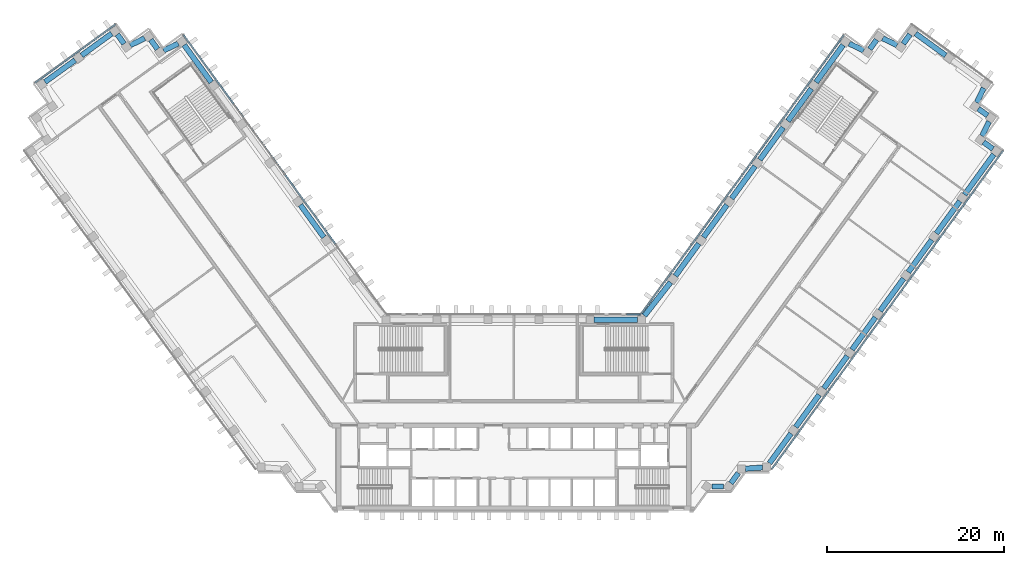
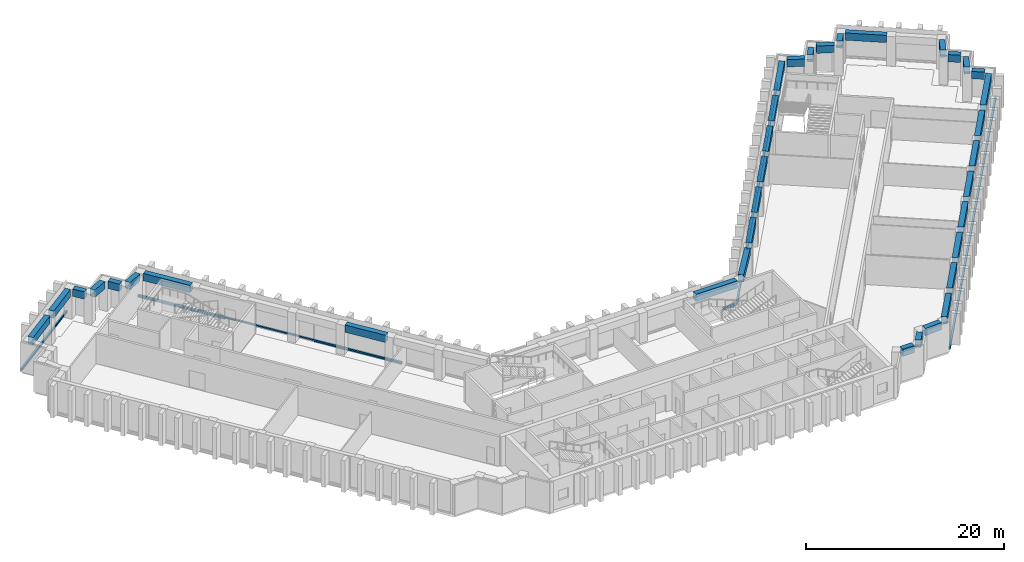
"""IFC4 building model written with IfcOpenShell, lengths in metres."""

from ifc_helpers import new_model, si_unit, direction, frame, origin, origin_2d, place, context, subcontext, project, spatial, rectangle, extrude, material, material_profile, profile_set, type_object, element, aggregate, save


model = new_model("IFC4")

# Units and contexts
model_context = context("Model", 3, precision=1e-05, world=origin(), true_north=direction((0.0, 1.0)))
body_context = subcontext(model_context, "Body", "Model", "MODEL_VIEW")
ifc_project = project(units=[si_unit("LENGTHUNIT", "METRE"), si_unit("AREAUNIT", "SQUARE_METRE"), si_unit("VOLUMEUNIT", "CUBIC_METRE"), si_unit("PLANEANGLEUNIT", "RADIAN"), si_unit("MASSUNIT", "GRAM", prefix="KILO")], contexts=[model_context])

# Site, building, storey
site_placement = place(None, origin())
site = spatial("IfcSite", under=ifc_project, at=site_placement, CompositionType="ELEMENT")
building_placement = place(site_placement, origin())
building = spatial("IfcBuilding", under=site, at=building_placement, Name="Quipu Civic Tower", CompositionType="ELEMENT")
storey_1_placement = place(building_placement, frame((0.0, 0.0, 67.0)))
storey_1 = spatial("IfcBuildingStorey", under=building, at=storey_1_placement, Name="L15", CompositionType="ELEMENT", Elevation=67.0)

# Beams
ifc_material_1 = material(Name="Concrete C50/60", Category="concrete")
ifc_material_profile_1 = material_profile(ifc_material_1, rectangle(XDim=0.60009765625, YDim=0.89990234375, at=origin_2d()), Name="RC600x900")
ifc_profile_set_1 = profile_set([ifc_material_profile_1], Name="Concrete C50/60")
beam_type = type_object("IfcBeamType", Name="Spandrel beam RC 600x900 C50/60", PredefinedType="SPANDREL", material=ifc_profile_set_1)
beam_1_placement = place(storey_1_placement, frame((-21.411865234375, 19.807861328125, 3.199951171875), z_axis=(-0.587778073121, 0.809022210299, 0.0), x_axis=(-0.809022210299, -0.587778073121, 0.0)))
element("IfcBeam", 1, at=beam_1_placement, inside=storey_1, type_object=beam_type, Name="Spandrel beam L15 W-IN-02 to W-IN-03", PredefinedType="SPANDREL", context=body_context, shape_type="SweptSolid", body=[
    extrude(rectangle(XDim=0.60009765625, YDim=0.89990234375, at=origin_2d()), origin(), (0.0, 0.0, 1.0), 4.5),
])
beam_2_placement = place(storey_1_placement, frame((-34.107421875, 37.283203125, 3.199951171875), z_axis=(-0.587732861365, 0.80905505602, 0.0), x_axis=(-0.80905505602, -0.587732861365, 0.0)))
element("IfcBeam", 2, at=beam_2_placement, inside=storey_1, type_object=beam_type, Name="Spandrel beam L15 W-IN-06 to T-Wi.0-W50", PredefinedType="SPANDREL", context=body_context, shape_type="SweptSolid", body=[
    extrude(rectangle(XDim=0.60009765625, YDim=0.89990234375, at=origin_2d()), origin(), (0.0, 0.0, 1.0), 5.194580078125),
])
beam_3_placement = place(storey_1_placement, frame((-37.837890625, 41.65283203125, 3.199951171875), z_axis=(-0.90245397739, -0.430786279601, 0.0), x_axis=(0.430786279601, -0.90245397739, 0.0)))
element("IfcBeam", 3, at=beam_3_placement, inside=storey_1, type_object=beam_type, Name="Spandrel beam L15 T-Wi.0-W50 to T-Wi.1-W50", PredefinedType="SPANDREL", context=body_context, shape_type="SweptSolid", body=[
    extrude(rectangle(XDim=0.60009765625, YDim=0.89990234375, at=origin_2d()), origin(), (0.0, 0.0, 1.0), 1.83349609375),
])
beam_4_placement = place(storey_1_placement, frame((-40.170166015625, 41.02978515625, 3.199951171875), z_axis=(-0.588461937499, 0.808524921146, 0.0), x_axis=(-0.808524921146, -0.588461937499, 0.0)))
element("IfcBeam", 4, at=beam_4_placement, inside=storey_1, type_object=beam_type, Name="Spandrel beam L15 T-Wi.1-W50 to T-Wi.2-W50", PredefinedType="SPANDREL", context=body_context, shape_type="SweptSolid", body=[
    extrude(rectangle(XDim=0.60009765625, YDim=0.89990234375, at=origin_2d()), origin(), (0.0, 0.0, 1.0), 1.30029296875),
])
beam_5_placement = place(storey_1_placement, frame((-41.613037109375, 42.248046875, 3.199951171875), z_axis=(-0.902613270121, -0.430452418511, 0.0), x_axis=(0.430452418511, -0.902613270121, 0.0)))
element("IfcBeam", 5, at=beam_5_placement, inside=storey_1, type_object=beam_type, Name="Spandrel beam L15 T-Wi.2-W50 to T-Wi.3-W50", PredefinedType="SPANDREL", context=body_context, shape_type="SweptSolid", body=[
    extrude(rectangle(XDim=0.60009765625, YDim=0.89990234375, at=origin_2d()), origin(), (0.0, 0.0, 1.0), 1.826416015625),
])
beam_6_placement = place(storey_1_placement, frame((-43.939453125, 41.628662109375, 3.199951171875), z_axis=(-0.588383572423, 0.808581951136, 0.0), x_axis=(-0.808581951136, -0.588383572423, 0.0)))
element("IfcBeam", 6, at=beam_6_placement, inside=storey_1, type_object=beam_type, Name="Spandrel beam L15 T-Wi.3-W50 to T-Wi.4-W50", PredefinedType="SPANDREL", context=body_context, shape_type="SweptSolid", body=[
    extrude(rectangle(XDim=0.60009765625, YDim=0.89990234375, at=origin_2d()), origin(), (0.0, 0.0, 1.0), 1.3017578125),
])
beam_7_placement = place(storey_1_placement, frame((-45.333984375, 42.780517578125, 3.199951171875), z_axis=(-0.808969789945, -0.58785021813, 0.0), x_axis=(0.58785021813, -0.808969789945, 0.0)))
element("IfcBeam", 7, at=beam_7_placement, inside=storey_1, type_object=beam_type, Name="Spandrel beam L15 T-Wi.4-W50 to TIP-W-01-W50", PredefinedType="SPANDREL", context=body_context, shape_type="SweptSolid", body=[
    extrude(rectangle(XDim=0.60009765625, YDim=0.89990234375, at=origin_2d()), origin(), (0.0, 0.0, 1.0), 4.199951171875),
])
beam_8_placement = place(storey_1_placement, frame((-49.459716796875, 39.782470703125, 3.199951171875), z_axis=(-0.808959834407, -0.587863918196, 0.0), x_axis=(0.587863918196, -0.808959834407, 0.0)))
element("IfcBeam", 8, at=beam_8_placement, inside=storey_1, type_object=beam_type, Name="Spandrel beam L15 TIP-W-01-W50 to T-Wo.0-W50", PredefinedType="SPANDREL", context=body_context, shape_type="SweptSolid", body=[
    extrude(rectangle(XDim=0.60009765625, YDim=0.89990234375, at=origin_2d()), origin(), (0.0, 0.0, 1.0), 4.1982421875),
])
beam_9_placement = place(storey_1_placement, frame((22.34814453125, -8.31494140625, 3.199951171875), z_axis=(1.0, 0.0, 0.0), x_axis=(0.0, 1.0, 0.0)))
element("IfcBeam", 9, at=beam_9_placement, inside=storey_1, type_object=beam_type, Name="Spandrel beam L15 J-Eo.1 to J-Eo.2", PredefinedType="SPANDREL", context=body_context, shape_type="SweptSolid", body=[
    extrude(rectangle(XDim=0.60009765625, YDim=0.89990234375, at=origin_2d()), origin(), (0.0, 0.0, 1.0), 1.33056640625),
])
beam_10_placement = place(storey_1_placement, frame((24.499755859375, -7.951171875, 3.199951171875), z_axis=(0.588433824377, 0.808545381738, 0.0), x_axis=(-0.808545381738, 0.588433824377, 0.0)))
element("IfcBeam", 10, at=beam_10_placement, inside=storey_1, type_object=beam_type, Name="Spandrel beam L15 J-Eo.2 to J-Eo.3", PredefinedType="SPANDREL", context=body_context, shape_type="SweptSolid", body=[
    extrude(rectangle(XDim=0.60009765625, YDim=0.89990234375, at=origin_2d()), origin(), (0.0, 0.0, 1.0), 1.439697265625),
])
beam_11_placement = place(storey_1_placement, frame((26.12451171875, -6.304443359375, 3.199951171875), z_axis=(0.997365981169, 0.072533437859, 0.0), x_axis=(-0.072533437859, 0.997365981169, 0.0)))
element("IfcBeam", 11, at=beam_11_placement, inside=storey_1, type_object=beam_type, Name="Spandrel beam L15 J-Eo.3 to J-Eo.4", PredefinedType="SPANDREL", context=body_context, shape_type="SweptSolid", body=[
    extrude(rectangle(XDim=0.60009765625, YDim=0.89990234375, at=origin_2d()), origin(), (0.0, 0.0, 1.0), 1.95556640625),
])
beam_12_placement = place(storey_1_placement, frame((28.85205078125, -5.679931640625, 3.199951171875), z_axis=(0.587750565781, 0.809042194464, 0.0), x_axis=(-0.809042194464, 0.587750565781, 0.0)))
element("IfcBeam", 12, at=beam_12_placement, inside=storey_1, type_object=beam_type, Name="Spandrel beam L15 J-Eo.4 to E-OUT-01", PredefinedType="SPANDREL", context=body_context, shape_type="SweptSolid", body=[
    extrude(rectangle(XDim=0.60009765625, YDim=0.89990234375, at=origin_2d()), origin(), (0.0, 0.0, 1.0), 4.13720703125),
])
beam_13_placement = place(storey_1_placement, frame((31.812744140625, -1.604736328125, 3.199951171875), z_axis=(0.587778073121, 0.809022210299, 0.0), x_axis=(-0.809022210299, 0.587778073121, 0.0)))
element("IfcBeam", 13, at=beam_13_placement, inside=storey_1, type_object=beam_type, Name="Spandrel beam L15 E-OUT-01 to E-OUT-02", PredefinedType="SPANDREL", context=body_context, shape_type="SweptSolid", body=[
    extrude(rectangle(XDim=0.60009765625, YDim=0.89990234375, at=origin_2d()), origin(), (0.0, 0.0, 1.0), 4.5),
])
beam_14_placement = place(storey_1_placement, frame((34.98681640625, 2.76416015625, 3.199951171875), z_axis=(0.587803872688, 0.809003465539, 0.0), x_axis=(-0.809003465539, 0.587803872688, 0.0)))
element("IfcBeam", 14, at=beam_14_placement, inside=storey_1, type_object=beam_type, Name="Spandrel beam L15 E-OUT-02 to E-OUT-03", PredefinedType="SPANDREL", context=body_context, shape_type="SweptSolid", body=[
    extrude(rectangle(XDim=0.60009765625, YDim=0.89990234375, at=origin_2d()), origin(), (0.0, 0.0, 1.0), 4.499755859375),
])
for number, where, z_axis, x_axis, name in (
    (15, (38.160888671875, 7.1328125, 3.199951171875), (0.587778073121, 0.809022210299, 0.0), (-0.809022210299, 0.587778073121, 0.0), "Spandrel beam L15 E-OUT-03 to E-OUT-04"),
    (16, (41.3349609375, 11.50146484375, 3.199951171875), (0.587778073121, 0.809022210299, 0.0), (-0.809022210299, 0.587778073121, 0.0), "Spandrel beam L15 E-OUT-04 to E-OUT-05"),
):
    element("IfcBeam", number, at=place(storey_1_placement, frame(where, z_axis=z_axis, x_axis=x_axis)), inside=storey_1, type_object=beam_type, Name=name, PredefinedType="SPANDREL", context=body_context, shape_type="SweptSolid", body=[
        extrude(rectangle(XDim=0.60009765625, YDim=0.89990234375, at=origin_2d()), origin(), (0.0, 0.0, 1.0), 4.5),
    ])
beam_15_placement = place(storey_1_placement, frame((44.5087890625, 15.870361328125, 3.199951171875), z_axis=(0.587803872688, 0.809003465539, 0.0), x_axis=(-0.809003465539, 0.587803872688, 0.0)))
element("IfcBeam", 17, at=beam_15_placement, inside=storey_1, type_object=beam_type, Name="Spandrel beam L15 E-OUT-05 to E-OUT-06", PredefinedType="SPANDREL", context=body_context, shape_type="SweptSolid", body=[
    extrude(rectangle(XDim=0.60009765625, YDim=0.89990234375, at=origin_2d()), origin(), (0.0, 0.0, 1.0), 4.499755859375),
])
beam_16_placement = place(storey_1_placement, frame((47.682861328125, 20.23876953125, 3.199951171875), z_axis=(0.587778073121, 0.809022210299, 0.0), x_axis=(-0.809022210299, 0.587778073121, 0.0)))
element("IfcBeam", 18, at=beam_16_placement, inside=storey_1, type_object=beam_type, Name="Spandrel beam L15 E-OUT-06 to E-OUT-07", PredefinedType="SPANDREL", context=body_context, shape_type="SweptSolid", body=[
    extrude(rectangle(XDim=0.60009765625, YDim=0.89990234375, at=origin_2d()), origin(), (0.0, 0.0, 1.0), 4.5),
])
beam_17_placement = place(storey_1_placement, frame((50.85693359375, 24.607666015625, 3.199951171875), z_axis=(0.587772657145, 0.809026145135, 0.0), x_axis=(-0.809026145135, 0.587772657145, 0.0)))
element("IfcBeam", 19, at=beam_17_placement, inside=storey_1, type_object=beam_type, Name="Spandrel beam L15 E-OUT-07 to T-Eo.0-E50", PredefinedType="SPANDREL", context=body_context, shape_type="SweptSolid", body=[
    extrude(rectangle(XDim=0.60009765625, YDim=0.89990234375, at=origin_2d()), origin(), (0.0, 0.0, 1.0), 5.603271484375),
])
beam_18_placement = place(storey_1_placement, frame((54.051025390625, 29.769775390625, 3.199951171875), z_axis=(-0.808549242423, 0.588428519514, 0.0), x_axis=(-0.588428519514, -0.808549242423, 0.0)))
element("IfcBeam", 20, at=beam_18_placement, inside=storey_1, type_object=beam_type, Name="Spandrel beam L15 T-Eo.0-E50 to T-Eo.1-E50", PredefinedType="SPANDREL", context=body_context, shape_type="SweptSolid", body=[
    extrude(rectangle(XDim=0.60009765625, YDim=0.89990234375, at=origin_2d()), origin(), (0.0, 0.0, 1.0), 1.2998046875),
])
beam_19_placement = place(storey_1_placement, frame((52.83349609375, 31.21240234375, 3.199951171875), z_axis=(0.431446050156, 0.902138739776, 0.0), x_axis=(-0.902138739776, 0.431446050156, 0.0)))
element("IfcBeam", 21, at=beam_19_placement, inside=storey_1, type_object=beam_type, Name="Spandrel beam L15 T-Eo.1-E50 to T-Eo.2-E50", PredefinedType="SPANDREL", context=body_context, shape_type="SweptSolid", body=[
    extrude(rectangle(XDim=0.60009765625, YDim=0.89990234375, at=origin_2d()), origin(), (0.0, 0.0, 1.0), 1.828857421875),
])
beam_20_placement = place(storey_1_placement, frame((53.4560546875, 33.539794921875, 3.199951171875), z_axis=(-0.808509099783, 0.588483674853, 0.0), x_axis=(-0.588483674853, -0.808509099783, 0.0)))
element("IfcBeam", 22, at=beam_20_placement, inside=storey_1, type_object=beam_type, Name="Spandrel beam L15 T-Eo.2-E50 to T-Eo.3-E50", PredefinedType="SPANDREL", context=body_context, shape_type="SweptSolid", body=[
    extrude(rectangle(XDim=0.60009765625, YDim=0.89990234375, at=origin_2d()), origin(), (0.0, 0.0, 1.0), 1.302734375),
])
beam_21_placement = place(storey_1_placement, frame((52.23583984375, 34.984375, 3.199951171875), z_axis=(0.430166558323, 0.902749540072, 0.0), x_axis=(-0.902749540072, 0.430166558323, 0.0)))
element("IfcBeam", 23, at=beam_21_placement, inside=storey_1, type_object=beam_type, Name="Spandrel beam L15 T-Eo.3-E50 to T-Eo.4-E50", PredefinedType="SPANDREL", context=body_context, shape_type="SweptSolid", body=[
    extrude(rectangle(XDim=0.60009765625, YDim=0.89990234375, at=origin_2d()), origin(), (0.0, 0.0, 1.0), 1.830322265625),
])
beam_22_placement = place(storey_1_placement, frame((48.731689453125, 40.3115234375, 3.199951171875), z_axis=(-0.808969789945, 0.58785021813, 0.0), x_axis=(-0.58785021813, -0.808969789945, 0.0)))
element("IfcBeam", 24, at=beam_22_placement, inside=storey_1, type_object=beam_type, Name="Spandrel beam L15 TIP-E-01-E50 to T-Ei.0-E50", PredefinedType="SPANDREL", context=body_context, shape_type="SweptSolid", body=[
    extrude(rectangle(XDim=0.60009765625, YDim=0.89990234375, at=origin_2d()), origin(), (0.0, 0.0, 1.0), 4.199951171875),
])
beam_23_placement = place(storey_1_placement, frame((44.705322265625, 42.68115234375, 3.199951171875), z_axis=(-0.588383572423, -0.808581951136, 0.0), x_axis=(0.808581951136, -0.588383572423, 0.0)))
element("IfcBeam", 25, at=beam_23_placement, inside=storey_1, type_object=beam_type, Name="Spandrel beam L15 T-Ei.0-E50 to T-Ei.1-E50", PredefinedType="SPANDREL", context=body_context, shape_type="SweptSolid", body=[
    extrude(rectangle(XDim=0.60009765625, YDim=0.89990234375, at=origin_2d()), origin(), (0.0, 0.0, 1.0), 1.3017578125),
])
beam_24_placement = place(storey_1_placement, frame((43.261474609375, 41.4619140625, 3.199951171875), z_axis=(-0.902613270121, 0.430452418511, 0.0), x_axis=(-0.430452418511, -0.902613270121, 0.0)))
element("IfcBeam", 26, at=beam_24_placement, inside=storey_1, type_object=beam_type, Name="Spandrel beam L15 T-Ei.1-E50 to T-Ei.2-E50", PredefinedType="SPANDREL", context=body_context, shape_type="SweptSolid", body=[
    extrude(rectangle(XDim=0.60009765625, YDim=0.89990234375, at=origin_2d()), origin(), (0.0, 0.0, 1.0), 1.826416015625),
])
beam_25_placement = place(storey_1_placement, frame((40.935302734375, 42.0810546875, 3.199951171875), z_axis=(-0.588461937499, -0.808524921146, 0.0), x_axis=(0.808524921146, -0.588461937499, 0.0)))
element("IfcBeam", 27, at=beam_25_placement, inside=storey_1, type_object=beam_type, Name="Spandrel beam L15 T-Ei.2-E50 to T-Ei.3-E50", PredefinedType="SPANDREL", context=body_context, shape_type="SweptSolid", body=[
    extrude(rectangle(XDim=0.60009765625, YDim=0.89990234375, at=origin_2d()), origin(), (0.0, 0.0, 1.0), 1.30029296875),
])
beam_26_placement = place(storey_1_placement, frame((39.492431640625, 40.863037109375, 3.199951171875), z_axis=(-0.90245397739, 0.430786279601, 0.0), x_axis=(-0.430786279601, -0.90245397739, 0.0)))
element("IfcBeam", 28, at=beam_26_placement, inside=storey_1, type_object=beam_type, Name="Spandrel beam L15 T-Ei.3-E50 to T-Ei.4-E50", PredefinedType="SPANDREL", context=body_context, shape_type="SweptSolid", body=[
    extrude(rectangle(XDim=0.60009765625, YDim=0.89990234375, at=origin_2d()), origin(), (0.0, 0.0, 1.0), 1.83349609375),
])
beam_27_placement = place(storey_1_placement, frame((37.160400390625, 41.48583984375, 3.199951171875), z_axis=(-0.587732861365, -0.80905505602, 0.0), x_axis=(0.80905505602, -0.587732861365, 0.0)))
element("IfcBeam", 29, at=beam_27_placement, inside=storey_1, type_object=beam_type, Name="Spandrel beam L15 T-Ei.4-E50 to E-IN-06", PredefinedType="SPANDREL", context=body_context, shape_type="SweptSolid", body=[
    extrude(rectangle(XDim=0.60009765625, YDim=0.89990234375, at=origin_2d()), origin(), (0.0, 0.0, 1.0), 5.194580078125),
])
for number, where, z_axis, x_axis, name in (
    (30, (33.578369140625, 36.55517578125, 3.199951171875), (-0.587716763865, -0.809066749701, 0.0), (0.809066749701, -0.587716763865, 0.0), "Spandrel beam L15 E-IN-06 to E-IN-05"),
    (31, (30.404541015625, 32.186279296875, 3.199951171875), (-0.587742561851, -0.809048009076, 0.0), (0.809048009076, -0.587742561851, 0.0), "Spandrel beam L15 E-IN-05 to E-IN-04"),
    (32, (27.230712890625, 27.8173828125, 3.199951171875), (-0.587778073121, -0.809022210299, 0.0), (0.809022210299, -0.587778073121, 0.0), "Spandrel beam L15 E-IN-04 to E-IN-03"),
    (33, (24.056884765625, 23.448486328125, 3.199951171875), (-0.587778073121, -0.809022210299, 0.0), (0.809022210299, -0.587778073121, 0.0), "Spandrel beam L15 E-IN-03 to E-IN-02"),
    (34, (20.8828125, 19.079833984375, 3.199951171875), (-0.587716763865, -0.809066749701, 0.0), (0.809066749701, -0.587716763865, 0.0), "Spandrel beam L15 E-IN-02 to E-IN-01"),
):
    element("IfcBeam", number, at=place(storey_1_placement, frame(where, z_axis=z_axis, x_axis=x_axis)), inside=storey_1, type_object=beam_type, Name=name, PredefinedType="SPANDREL", context=body_context, shape_type="SweptSolid", body=[
        extrude(rectangle(XDim=0.60009765625, YDim=0.89990234375, at=origin_2d()), origin(), (0.0, 0.0, 1.0), 4.5),
    ])
beam_28_placement = place(storey_1_placement, frame((17.6962890625, 14.72021484375, 3.199951171875), z_axis=(-0.616123961998, -0.787649200756, 0.0), x_axis=(0.787649200756, -0.616123961998, 0.0)))
element("IfcBeam", 35, at=beam_28_placement, inside=storey_1, type_object=beam_type, Name="Spandrel beam L15 E-IN-01 to J-Ei.0", PredefinedType="SPANDREL", context=body_context, shape_type="SweptSolid", body=[
    extrude(rectangle(XDim=0.60009765625, YDim=0.89990234375, at=origin_2d()), origin(), (0.0, 0.0, 1.0), 4.78662109375),
])
beam_29_placement = place(storey_1_placement, frame((13.9453125, 10.5, 3.199951171875), z_axis=(-1.0, 0.0, 0.0), x_axis=(0.0, -1.0, 0.0)))
element("IfcBeam", 36, at=beam_29_placement, inside=storey_1, type_object=beam_type, Name="Spandrel beam L15 J-Ei.0 to FRONT-01", PredefinedType="SPANDREL", context=body_context, shape_type="SweptSolid", body=[
    extrude(rectangle(XDim=0.60009765625, YDim=0.89990234375, at=origin_2d()), origin(), (0.0, 0.0, 1.0), 4.858154296875),
])

# Storey
storey_2_placement = place(building_placement, frame((0.0, 0.0, 59.0)))
storey_2 = spatial("IfcBuildingStorey", under=building, at=storey_2_placement, Name="L13", CompositionType="ELEMENT", Elevation=59.0)

# Curtain wall, members
ifc_material_2 = material(Name="Insulated glass unit", Category="glass")
curtain_wall_type = type_object("IfcCurtainWallType", Name="Office curtain wall CW1", PredefinedType="NOTDEFINED", material=ifc_material_2)
curtain_wall_1_placement = place(storey_2_placement, origin())
curtain_wall_1 = element("IfcCurtainWall", 37, at=curtain_wall_1_placement, inside=storey_2, type_object=curtain_wall_type, Name="Office curtain wall CW1 L12 run 10", PredefinedType="NOTDEFINED")
ifc_material_3 = material(Name="Anodised aluminium", Category="aluminium")
ifc_material_profile_2 = material_profile(ifc_material_3, rectangle(XDim=0.199951171875, YDim=0.159912109375, at=origin_2d()), Name="RECT 200x160")
ifc_profile_set_2 = profile_set([ifc_material_profile_2], Name="Anodised aluminium")
member_type = type_object("IfcMemberType", Name="Transom CW1", PredefinedType="USERDEFINED", material=ifc_profile_set_2)
member_1_placement = place(storey_1_placement, frame((-20.105224609375, 19.029296875, 0.0), z_axis=(-0.587793764301, 0.80901080997, 0.0), x_axis=(-0.80901080997, -0.587793764301, 0.0)))
member_1 = element("IfcMember", 38, at=member_1_placement, inside=storey_1, type_object=member_type, Name="CW1 transom 2.4", ObjectType="TRANSOM", PredefinedType="USERDEFINED", context=body_context, shape_type="SweptSolid", body=[
    extrude(rectangle(XDim=0.199951171875, YDim=0.159912109375, at=origin_2d()), origin(), (0.0, 0.0, 1.0), 9.680908203125),
])
member_2_placement = place(storey_1_placement, frame((-31.580078125, 34.822998046875, 0.0), z_axis=(-0.587775627857, 0.809023986849, 0.0), x_axis=(-0.809023986849, -0.587775627857, 0.0)))
member_2 = element("IfcMember", 39, at=member_2_placement, inside=storey_1, type_object=member_type, Name="CW1 transom 4.4", ObjectType="TRANSOM", PredefinedType="USERDEFINED", context=body_context, shape_type="SweptSolid", body=[
    extrude(rectangle(XDim=0.199951171875, YDim=0.159912109375, at=origin_2d()), origin(), (0.0, 0.0, 1.0), 9.64111328125),
])
aggregate(curtain_wall_1, [member_1, member_2])

# Curtain wall, member
curtain_wall_2_placement = place(storey_2_placement, origin())
curtain_wall_2 = element("IfcCurtainWall", 40, at=curtain_wall_2_placement, inside=storey_2, type_object=curtain_wall_type, Name="Office curtain wall CW1 L12 run 15", PredefinedType="NOTDEFINED")
member_3_placement = place(storey_1_placement, frame((-44.9013671875, 43.8349609375, 0.0), z_axis=(-0.809032792449, -0.587763507495, 0.0), x_axis=(0.587763507495, -0.809032792449, 0.0)))
member_3 = element("IfcMember", 41, at=member_3_placement, inside=storey_1, type_object=member_type, Name="CW1 transom 1.4", ObjectType="TRANSOM", PredefinedType="USERDEFINED", context=body_context, shape_type="SweptSolid", body=[
    extrude(rectangle(XDim=0.199951171875, YDim=0.159912109375, at=origin_2d()), origin(), (0.0, 0.0, 1.0), 11.239990234375),
])
aggregate(curtain_wall_2, [member_3])

# Curtain wall, members
curtain_wall_3_placement = place(storey_2_placement, origin())
curtain_wall_3 = element("IfcCurtainWall", 42, at=curtain_wall_3_placement, inside=storey_2, type_object=curtain_wall_type, Name="Office curtain wall CW1 L12 run 26", PredefinedType="NOTDEFINED")
member_4_placement = place(storey_1_placement, frame((29.10302734375, -6.35546875, 0.0), z_axis=(0.587779179422, 0.809021406539, 0.0), x_axis=(-0.809021406539, 0.587779179422, 0.0)))
member_4 = element("IfcMember", 43, at=member_4_placement, inside=storey_1, type_object=member_type, Name="CW1 transom 1.4", ObjectType="TRANSOM", PredefinedType="USERDEFINED", context=body_context, shape_type="SweptSolid", body=[
    extrude(rectangle(XDim=0.199951171875, YDim=0.159912109375, at=origin_2d()), origin(), (0.0, 0.0, 1.0), 11.02294921875),
])
member_5_placement = place(storey_1_placement, frame((35.62890625, 2.626953125, 0.0), z_axis=(0.587795037589, 0.80900988485, 0.0), x_axis=(-0.80900988485, 0.587795037589, 0.0)))
member_5 = element("IfcMember", 44, at=member_5_placement, inside=storey_1, type_object=member_type, Name="CW1 transom 2.4", ObjectType="TRANSOM", PredefinedType="USERDEFINED", context=body_context, shape_type="SweptSolid", body=[
    extrude(rectangle(XDim=0.199951171875, YDim=0.159912109375, at=origin_2d()), origin(), (0.0, 0.0, 1.0), 11.062744140625),
])
member_6_placement = place(storey_1_placement, frame((42.178466796875, 11.6416015625, 0.0), z_axis=(0.587795037589, 0.80900988485, 0.0), x_axis=(-0.80900988485, 0.587795037589, 0.0)))
member_6 = element("IfcMember", 45, at=member_6_placement, inside=storey_1, type_object=member_type, Name="CW1 transom 3.4", ObjectType="TRANSOM", PredefinedType="USERDEFINED", context=body_context, shape_type="SweptSolid", body=[
    extrude(rectangle(XDim=0.199951171875, YDim=0.159912109375, at=origin_2d()), origin(), (0.0, 0.0, 1.0), 11.062744140625),
])
member_7_placement = place(storey_1_placement, frame((48.72802734375, 20.65625, 0.0), z_axis=(0.587779179422, 0.809021406539, 0.0), x_axis=(-0.809021406539, 0.587779179422, 0.0)))
member_7 = element("IfcMember", 46, at=member_7_placement, inside=storey_1, type_object=member_type, Name="CW1 transom 4.4", ObjectType="TRANSOM", PredefinedType="USERDEFINED", context=body_context, shape_type="SweptSolid", body=[
    extrude(rectangle(XDim=0.199951171875, YDim=0.159912109375, at=origin_2d()), origin(), (0.0, 0.0, 1.0), 11.02294921875),
])
aggregate(curtain_wall_3, [member_4, member_5, member_6, member_7])

curtain_wall_4_placement = place(storey_2_placement, origin())
curtain_wall_4 = element("IfcCurtainWall", 47, at=curtain_wall_4_placement, inside=storey_2, type_object=curtain_wall_type, Name="Office curtain wall CW1 L12 run 36", PredefinedType="NOTDEFINED")
member_8_placement = place(storey_1_placement, frame((37.246826171875, 42.622802734375, 0.0), z_axis=(-0.587775627857, -0.809023986849, 0.0), x_axis=(0.809023986849, -0.587775627857, 0.0)))
member_8 = element("IfcMember", 48, at=member_8_placement, inside=storey_1, type_object=member_type, Name="CW1 transom 1.4", ObjectType="TRANSOM", PredefinedType="USERDEFINED", context=body_context, shape_type="SweptSolid", body=[
    extrude(rectangle(XDim=0.199951171875, YDim=0.159912109375, at=origin_2d()), origin(), (0.0, 0.0, 1.0), 9.64111328125),
])
member_9_placement = place(storey_1_placement, frame((31.532958984375, 34.75830078125, 0.0), z_axis=(-0.58778177227, -0.809019522748, 0.0), x_axis=(0.809019522748, -0.58778177227, 0.0)))
member_9 = element("IfcMember", 49, at=member_9_placement, inside=storey_1, type_object=member_type, Name="CW1 transom 2.4", ObjectType="TRANSOM", PredefinedType="USERDEFINED", context=body_context, shape_type="SweptSolid", body=[
    extrude(rectangle(XDim=0.199951171875, YDim=0.159912109375, at=origin_2d()), origin(), (0.0, 0.0, 1.0), 9.68115234375),
])
member_10_placement = place(storey_1_placement, frame((25.795654296875, 26.861328125, 0.0), z_axis=(-0.587793764301, -0.80901080997, 0.0), x_axis=(0.80901080997, -0.587793764301, 0.0)))
member_10 = element("IfcMember", 50, at=member_10_placement, inside=storey_1, type_object=member_type, Name="CW1 transom 3.4", ObjectType="TRANSOM", PredefinedType="USERDEFINED", context=body_context, shape_type="SweptSolid", body=[
    extrude(rectangle(XDim=0.199951171875, YDim=0.159912109375, at=origin_2d()), origin(), (0.0, 0.0, 1.0), 9.680908203125),
])
member_11_placement = place(storey_1_placement, frame((20.05810546875, 18.964599609375, 0.0), z_axis=(-0.58779220199, -0.809011945079, 0.0), x_axis=(0.809011945079, -0.58779220199, 0.0)))
member_11 = element("IfcMember", 51, at=member_11_placement, inside=storey_1, type_object=member_type, Name="CW1 transom 4.4", ObjectType="TRANSOM", PredefinedType="USERDEFINED", context=body_context, shape_type="SweptSolid", body=[
    extrude(rectangle(XDim=0.199951171875, YDim=0.159912109375, at=origin_2d()), origin(), (0.0, 0.0, 1.0), 9.64111328125),
])
aggregate(curtain_wall_4, [member_8, member_9, member_10, member_11])

# Curtain wall, member
curtain_wall_5_placement = place(storey_2_placement, origin())
curtain_wall_5 = element("IfcCurtainWall", 52, at=curtain_wall_5_placement, inside=storey_2, type_object=curtain_wall_type, Name="Office curtain wall CW1 L12 run 37", PredefinedType="NOTDEFINED")
member_12_placement = place(storey_1_placement, frame((14.26416015625, 11.10009765625, 0.0), z_axis=(-1.0, 0.0, 0.0), x_axis=(0.0, -1.0, 0.0)))
member_12 = element("IfcMember", 53, at=member_12_placement, inside=storey_1, type_object=member_type, Name="CW1 transom 1.4", ObjectType="TRANSOM", PredefinedType="USERDEFINED", context=body_context, shape_type="SweptSolid", body=[
    extrude(rectangle(XDim=0.199951171875, YDim=0.159912109375, at=origin_2d()), origin(), (0.0, 0.0, 1.0), 1.529052734375),
])
aggregate(curtain_wall_5, [member_12])

# Storey
storey_3_placement = place(building_placement, frame((0.0, 0.0, 71.0)))
storey_3 = spatial("IfcBuildingStorey", under=building, at=storey_3_placement, Name="L16", CompositionType="ELEMENT", Elevation=71.0)

# Curtain wall, members
curtain_wall_6_placement = place(storey_3_placement, origin())
curtain_wall_6 = element("IfcCurtainWall", 54, at=curtain_wall_6_placement, inside=storey_3, type_object=curtain_wall_type, Name="Office curtain wall CW1 L15 run 1", PredefinedType="NOTDEFINED")
member_13_placement = place(storey_1_placement, frame((-20.105224609375, 19.029296875, 0.159912109375), z_axis=(-0.587793764301, 0.80901080997, 0.0), x_axis=(-0.80901080997, -0.587793764301, 0.0)))
member_13 = element("IfcMember", 55, at=member_13_placement, inside=storey_1, type_object=member_type, Name="CW1 transom 2.1", ObjectType="TRANSOM", PredefinedType="USERDEFINED", context=body_context, shape_type="SweptSolid", body=[
    extrude(rectangle(XDim=0.199951171875, YDim=0.159912109375, at=origin_2d()), origin(), (0.0, 0.0, 1.0), 9.680908203125),
])
member_14_placement = place(storey_1_placement, frame((-25.842529296875, 26.926025390625, 0.159912109375), z_axis=(-0.58778177227, 0.809019522748, 0.0), x_axis=(-0.809019522748, -0.58778177227, 0.0)))
member_14 = element("IfcMember", 56, at=member_14_placement, inside=storey_1, type_object=member_type, Name="CW1 transom 3.1", ObjectType="TRANSOM", PredefinedType="USERDEFINED", context=body_context, shape_type="SweptSolid", body=[
    extrude(rectangle(XDim=0.199951171875, YDim=0.159912109375, at=origin_2d()), origin(), (0.0, 0.0, 1.0), 9.68115234375),
])
member_15_placement = place(storey_1_placement, frame((-31.580078125, 34.822998046875, 0.159912109375), z_axis=(-0.587775627857, 0.809023986849, 0.0), x_axis=(-0.809023986849, -0.587775627857, 0.0)))
member_15 = element("IfcMember", 57, at=member_15_placement, inside=storey_1, type_object=member_type, Name="CW1 transom 4.1", ObjectType="TRANSOM", PredefinedType="USERDEFINED", context=body_context, shape_type="SweptSolid", body=[
    extrude(rectangle(XDim=0.199951171875, YDim=0.159912109375, at=origin_2d()), origin(), (0.0, 0.0, 1.0), 9.64111328125),
])
aggregate(curtain_wall_6, [member_13, member_14, member_15])

# Curtain wall, member
curtain_wall_7_placement = place(storey_3_placement, origin())
curtain_wall_7 = element("IfcCurtainWall", 58, at=curtain_wall_7_placement, inside=storey_3, type_object=curtain_wall_type, Name="Office curtain wall CW1 L15 run 6", PredefinedType="NOTDEFINED")
member_16_placement = place(storey_1_placement, frame((-44.9013671875, 43.8349609375, 0.159912109375), z_axis=(-0.809032792449, -0.587763507495, 0.0), x_axis=(0.587763507495, -0.809032792449, 0.0)))
member_16 = element("IfcMember", 59, at=member_16_placement, inside=storey_1, type_object=member_type, Name="CW1 transom 1.1", ObjectType="TRANSOM", PredefinedType="USERDEFINED", context=body_context, shape_type="SweptSolid", body=[
    extrude(rectangle(XDim=0.199951171875, YDim=0.159912109375, at=origin_2d()), origin(), (0.0, 0.0, 1.0), 11.239990234375),
])
aggregate(curtain_wall_7, [member_16])

# Curtain wall, members
curtain_wall_8_placement = place(storey_3_placement, origin())
curtain_wall_8 = element("IfcCurtainWall", 60, at=curtain_wall_8_placement, inside=storey_3, type_object=curtain_wall_type, Name="Office curtain wall CW1 L15 run 20", PredefinedType="NOTDEFINED")
member_17_placement = place(storey_1_placement, frame((29.10302734375, -6.35546875, 0.159912109375), z_axis=(0.587779179422, 0.809021406539, 0.0), x_axis=(-0.809021406539, 0.587779179422, 0.0)))
member_17 = element("IfcMember", 61, at=member_17_placement, inside=storey_1, type_object=member_type, Name="CW1 transom 1.1", ObjectType="TRANSOM", PredefinedType="USERDEFINED", context=body_context, shape_type="SweptSolid", body=[
    extrude(rectangle(XDim=0.199951171875, YDim=0.159912109375, at=origin_2d()), origin(), (0.0, 0.0, 1.0), 11.02294921875),
])
member_18_placement = place(storey_1_placement, frame((35.62890625, 2.626953125, 0.159912109375), z_axis=(0.587795037589, 0.80900988485, 0.0), x_axis=(-0.80900988485, 0.587795037589, 0.0)))
member_18 = element("IfcMember", 62, at=member_18_placement, inside=storey_1, type_object=member_type, Name="CW1 transom 2.1", ObjectType="TRANSOM", PredefinedType="USERDEFINED", context=body_context, shape_type="SweptSolid", body=[
    extrude(rectangle(XDim=0.199951171875, YDim=0.159912109375, at=origin_2d()), origin(), (0.0, 0.0, 1.0), 11.062744140625),
])
member_19_placement = place(storey_1_placement, frame((42.178466796875, 11.6416015625, 0.159912109375), z_axis=(0.587795037589, 0.80900988485, 0.0), x_axis=(-0.80900988485, 0.587795037589, 0.0)))
member_19 = element("IfcMember", 63, at=member_19_placement, inside=storey_1, type_object=member_type, Name="CW1 transom 3.1", ObjectType="TRANSOM", PredefinedType="USERDEFINED", context=body_context, shape_type="SweptSolid", body=[
    extrude(rectangle(XDim=0.199951171875, YDim=0.159912109375, at=origin_2d()), origin(), (0.0, 0.0, 1.0), 11.062744140625),
])
member_20_placement = place(storey_1_placement, frame((48.72802734375, 20.65625, 0.159912109375), z_axis=(0.587779179422, 0.809021406539, 0.0), x_axis=(-0.809021406539, 0.587779179422, 0.0)))
member_20 = element("IfcMember", 64, at=member_20_placement, inside=storey_1, type_object=member_type, Name="CW1 transom 4.1", ObjectType="TRANSOM", PredefinedType="USERDEFINED", context=body_context, shape_type="SweptSolid", body=[
    extrude(rectangle(XDim=0.199951171875, YDim=0.159912109375, at=origin_2d()), origin(), (0.0, 0.0, 1.0), 11.02294921875),
])
aggregate(curtain_wall_8, [member_17, member_18, member_19, member_20])

curtain_wall_9_placement = place(storey_3_placement, origin())
curtain_wall_9 = element("IfcCurtainWall", 65, at=curtain_wall_9_placement, inside=storey_3, type_object=curtain_wall_type, Name="Office curtain wall CW1 L15 run 30", PredefinedType="NOTDEFINED")
member_21_placement = place(storey_1_placement, frame((37.246826171875, 42.622802734375, 0.159912109375), z_axis=(-0.587775627857, -0.809023986849, 0.0), x_axis=(0.809023986849, -0.587775627857, 0.0)))
member_21 = element("IfcMember", 66, at=member_21_placement, inside=storey_1, type_object=member_type, Name="CW1 transom 1.1", ObjectType="TRANSOM", PredefinedType="USERDEFINED", context=body_context, shape_type="SweptSolid", body=[
    extrude(rectangle(XDim=0.199951171875, YDim=0.159912109375, at=origin_2d()), origin(), (0.0, 0.0, 1.0), 9.64111328125),
])
member_22_placement = place(storey_1_placement, frame((31.532958984375, 34.75830078125, 0.159912109375), z_axis=(-0.58778177227, -0.809019522748, 0.0), x_axis=(0.809019522748, -0.58778177227, 0.0)))
member_22 = element("IfcMember", 67, at=member_22_placement, inside=storey_1, type_object=member_type, Name="CW1 transom 2.1", ObjectType="TRANSOM", PredefinedType="USERDEFINED", context=body_context, shape_type="SweptSolid", body=[
    extrude(rectangle(XDim=0.199951171875, YDim=0.159912109375, at=origin_2d()), origin(), (0.0, 0.0, 1.0), 9.68115234375),
])
member_23_placement = place(storey_1_placement, frame((25.795654296875, 26.861328125, 0.159912109375), z_axis=(-0.587793764301, -0.80901080997, 0.0), x_axis=(0.80901080997, -0.587793764301, 0.0)))
member_23 = element("IfcMember", 68, at=member_23_placement, inside=storey_1, type_object=member_type, Name="CW1 transom 3.1", ObjectType="TRANSOM", PredefinedType="USERDEFINED", context=body_context, shape_type="SweptSolid", body=[
    extrude(rectangle(XDim=0.199951171875, YDim=0.159912109375, at=origin_2d()), origin(), (0.0, 0.0, 1.0), 9.680908203125),
])
member_24_placement = place(storey_1_placement, frame((20.05810546875, 18.964599609375, 0.159912109375), z_axis=(-0.58779220199, -0.809011945079, 0.0), x_axis=(0.809011945079, -0.58779220199, 0.0)))
member_24 = element("IfcMember", 69, at=member_24_placement, inside=storey_1, type_object=member_type, Name="CW1 transom 4.1", ObjectType="TRANSOM", PredefinedType="USERDEFINED", context=body_context, shape_type="SweptSolid", body=[
    extrude(rectangle(XDim=0.199951171875, YDim=0.159912109375, at=origin_2d()), origin(), (0.0, 0.0, 1.0), 9.64111328125),
])
aggregate(curtain_wall_9, [member_21, member_22, member_23, member_24])

# Curtain wall, member
curtain_wall_10_placement = place(storey_3_placement, origin())
curtain_wall_10 = element("IfcCurtainWall", 70, at=curtain_wall_10_placement, inside=storey_3, type_object=curtain_wall_type, Name="Office curtain wall CW1 L15 run 31", PredefinedType="NOTDEFINED")
member_25_placement = place(storey_1_placement, frame((14.26416015625, 11.10009765625, 0.159912109375), z_axis=(-1.0, 0.0, 0.0), x_axis=(0.0, -1.0, 0.0)))
member_25 = element("IfcMember", 71, at=member_25_placement, inside=storey_1, type_object=member_type, Name="CW1 transom 1.1", ObjectType="TRANSOM", PredefinedType="USERDEFINED", context=body_context, shape_type="SweptSolid", body=[
    extrude(rectangle(XDim=0.199951171875, YDim=0.159912109375, at=origin_2d()), origin(), (0.0, 0.0, 1.0), 1.529052734375),
])
aggregate(curtain_wall_10, [member_25])

save(model, "model.ifc")
